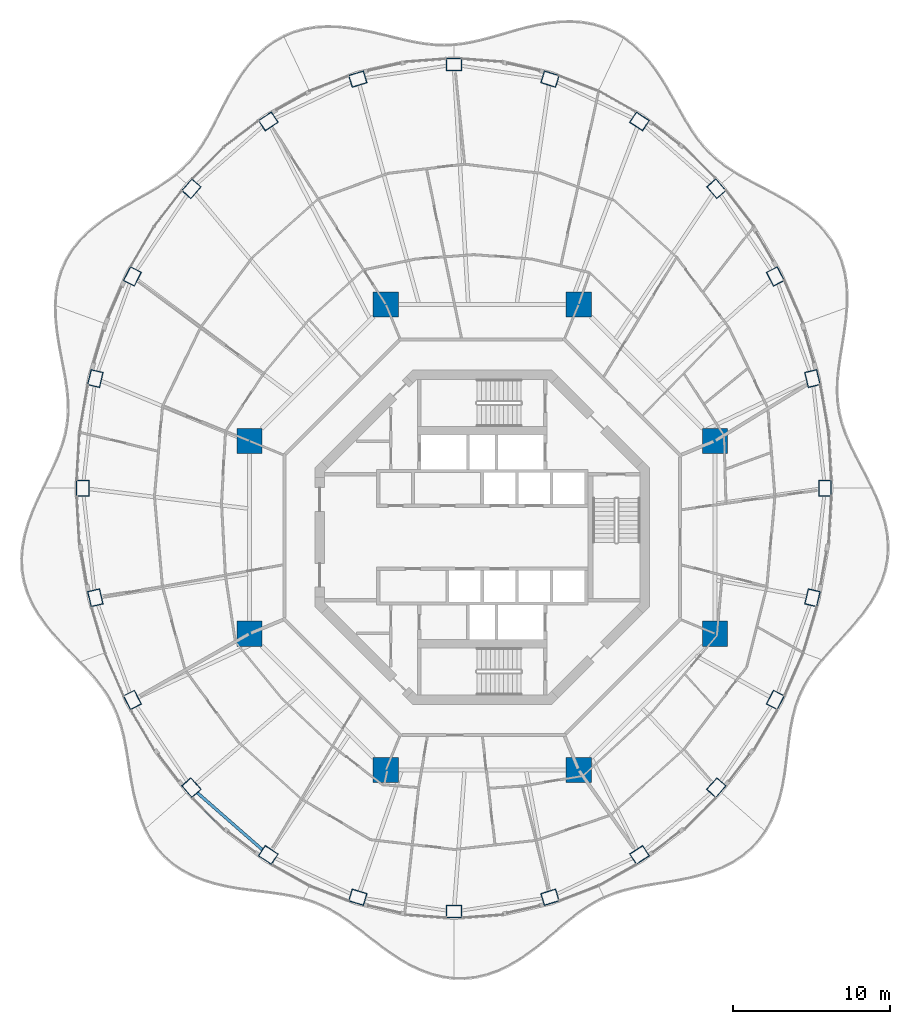
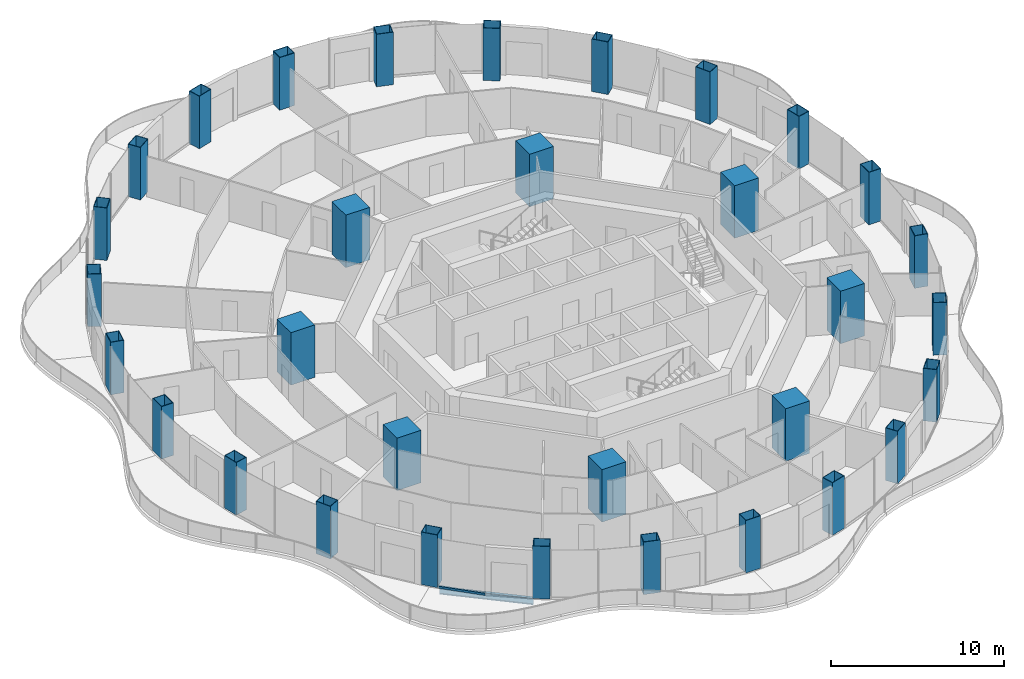
# One storey, part 1 of 18: 32 columns, 1 beam, 1 member, 1 element without a shape of its own.
"""IFC4 building model written with IfcOpenShell, lengths in metres."""

from ifc_helpers import new_model, si_unit, direction, frame, origin, origin_2d, place, context, subcontext, project, spatial, rectangle, hollow_rectangle, i_section, extrude, material, layer, layer_set, material_profile, profile_set, type_object, element, aggregate, save


model = new_model("IFC4")

# Units and contexts
model_context = context("Model", 3, precision=1e-05, world=origin(), true_north=direction((0.0, 1.0)))
body_context = subcontext(model_context, "Body", "Model", "MODEL_VIEW")
ifc_project = project(units=[si_unit("LENGTHUNIT", "METRE"), si_unit("AREAUNIT", "SQUARE_METRE"), si_unit("VOLUMEUNIT", "CUBIC_METRE"), si_unit("PLANEANGLEUNIT", "RADIAN"), si_unit("MASSUNIT", "GRAM", prefix="KILO")], contexts=[model_context])

# Site, building, storey
site_placement = place(None, origin())
site = spatial("IfcSite", under=ifc_project, at=site_placement, CompositionType="ELEMENT")
building_placement = place(site_placement, origin())
building = spatial("IfcBuilding", under=site, at=building_placement, Name="Nagisa Residences", CompositionType="ELEMENT")
storey_placement = place(building_placement, frame((0.0, 0.0, 245.5)))
storey = spatial("IfcBuildingStorey", under=building, at=storey_placement, Name="L62", CompositionType="ELEMENT", Elevation=245.5)

# Columns
ifc_material_1 = material(Name="Concrete C80", Category="concrete")
ifc_material_profile_1 = material_profile(ifc_material_1, rectangle(XDim=1.60009765625, YDim=1.60009765625, at=origin_2d()), Name="C80 1600x1600")
ifc_profile_set_1 = profile_set([ifc_material_profile_1], Name="Concrete C80")
column_type_1 = type_object("IfcColumnType", Name="Inner megacolumn C80 1600x1600", PredefinedType="COLUMN", material=ifc_profile_set_1)
for number, where, z_axis, x_axis, name in (
    (1, (14.781982421875, 6.123046875, 0.0), (0.0, 0.0, 1.0), (1.0, 0.0, 0.0), "col:L62:i1"),
    (2, (6.123046875, 14.781982421875, 0.0), (0.0, 0.0, 1.0), (1.0, 0.0, 0.0), "col:L62:i2"),
    (3, (-6.123046875, 14.781982421875, 0.0), (0.0, 0.0, 1.0), (1.0, 0.0, 0.0), "col:L62:i3"),
    (4, (-14.781982421875, 6.123046875, 0.0), (0.0, 0.0, 1.0), (1.0, 0.0, 0.0), "col:L62:i4"),
    (5, (-14.781982421875, -6.123046875, 0.0), (0.0, 0.0, 1.0), (1.0, 0.0, 0.0), "col:L62:i5"),
    (6, (-6.123046875, -14.781982421875, 0.0), (0.0, 0.0, 1.0), (1.0, 0.0, 0.0), "col:L62:i6"),
    (7, (6.123046875, -14.781982421875, 0.0), (0.0, 0.0, 1.0), (1.0, 0.0, 0.0), "col:L62:i7"),
    (8, (14.781982421875, -6.123046875, 0.0), (0.0, 0.0, 1.0), (1.0, 0.0, 0.0), "col:L62:i8"),
):
    element("IfcColumn", number, at=place(storey_placement, frame(where, z_axis=z_axis, x_axis=x_axis)), inside=storey, type_object=column_type_1, Name=name, PredefinedType="COLUMN", context=body_context, shape_type="SweptSolid", body=[
        extrude(rectangle(XDim=1.60009765625, YDim=1.60009765625, at=origin_2d()), origin(), (0.0, 0.0, 1.0), 3.699951171875),
    ])
ifc_material_2 = material(Name="Steel ASTM A572 Gr 50", Category="steel")
ifc_material_profile_2 = material_profile(ifc_material_2, hollow_rectangle(XDim=1.0, YDim=0.800048828125, WallThickness=0.031982421875, at=origin_2d()), Name="BX 1000x800x32")
ifc_profile_set_2 = profile_set([ifc_material_profile_2], Name="Steel ASTM A572 Gr 50")
column_type_2 = type_object("IfcColumnType", Name="Perimeter column BX 1000x800x32", PredefinedType="COLUMN", material=ifc_profile_set_2)
for number, where, z_axis, x_axis, name in (
    (9, (21.77001953125, 3.11767578125, 0.0), (0.0, 0.0, 1.0), (0.0, 1.0, 0.0), "col:L62:p00"),
    (10, (20.966796875, 10.077392578125, 0.0), (0.0, 0.0, 1.0), (-0.229202013103, 0.973378876486, 0.0), "col:L62:p01"),
    (11, (18.6123046875, 16.562744140625, 0.0), (0.0, 0.0, 1.0), (-0.452462697578, 0.891783329795, 0.0), "col:L62:p02"),
    (12, (14.866455078125, 22.1318359375, 0.0), (0.0, 0.0, 1.0), (-0.660114607735, 0.751164898445, 0.0), "col:L62:p03"),
    (13, (9.985107421875, 26.405029296875, 0.0), (0.0, 0.0, 1.0), (-0.835766105673, 0.54908561865, 0.0), "col:L62:p04"),
    (14, (4.30029296875, 29.091552734375, 0.0), (0.0, 0.0, 1.0), (-0.956524583408, 0.291651712384, 0.0), "col:L62:p05"),
    (15, (-1.800048828125, 30.0078125, 0.0), (0.0, 0.0, 1.0), (-1.0, 0.0, 0.0), "col:L62:p06"),
    (16, (-7.900390625, 29.091552734375, 0.0), (0.0, 0.0, 1.0), (-0.956524583408, -0.291651712384, 0.0), "col:L62:p07"),
    (17, (-13.5849609375, 26.405029296875, 0.0), (0.0, 0.0, 1.0), (-0.835766105673, -0.54908561865, 0.0), "col:L62:p08"),
    (18, (-18.466552734375, 22.1318359375, 0.0), (0.0, 0.0, 1.0), (-0.660114607735, -0.751164898445, 0.0), "col:L62:p09"),
    (19, (-22.212158203125, 16.562744140625, 0.0), (0.0, 0.0, 1.0), (-0.452462697578, -0.891783329795, 0.0), "col:L62:p10"),
    (20, (-24.56689453125, 10.077392578125, 0.0), (0.0, 0.0, 1.0), (-0.229202013103, -0.973378876486, 0.0), "col:L62:p11"),
    (21, (-25.3701171875, 3.11767578125, 0.0), (0.0, 0.0, 1.0), (0.0, -1.0, 0.0), "col:L62:p12"),
    (22, (-24.56689453125, -3.842041015625, 0.0), (0.0, 0.0, 1.0), (0.229202013103, -0.973378876486, 0.0), "col:L62:p13"),
    (23, (-22.212158203125, -10.327392578125, 0.0), (0.0, 0.0, 1.0), (0.452462697578, -0.891783329795, 0.0), "col:L62:p14"),
    (24, (-18.466552734375, -15.896484375, 0.0), (0.0, 0.0, 1.0), (0.660114607735, -0.751164898445, 0.0), "col:L62:p15"),
    (25, (-13.5849609375, -20.169677734375, 0.0), (0.0, 0.0, 1.0), (0.835766105673, -0.54908561865, 0.0), "col:L62:p16"),
    (26, (-7.900390625, -22.85595703125, 0.0), (0.0, 0.0, 1.0), (0.956524583408, -0.291651712384, 0.0), "col:L62:p17"),
    (27, (-1.800048828125, -23.772216796875, 0.0), (0.0, 0.0, 1.0), (1.0, 0.0, 0.0), "col:L62:p18"),
    (28, (4.30029296875, -22.85595703125, 0.0), (0.0, 0.0, 1.0), (0.956524583408, 0.291651712384, 0.0), "col:L62:p19"),
    (29, (9.985107421875, -20.169677734375, 0.0), (0.0, 0.0, 1.0), (0.835766105673, 0.54908561865, 0.0), "col:L62:p20"),
    (30, (14.866455078125, -15.896484375, 0.0), (0.0, 0.0, 1.0), (0.660114607735, 0.751164898445, 0.0), "col:L62:p21"),
    (31, (18.6123046875, -10.327392578125, 0.0), (0.0, 0.0, 1.0), (0.452462697578, 0.891783329795, 0.0), "col:L62:p22"),
    (32, (20.966796875, -3.842041015625, 0.0), (0.0, 0.0, 1.0), (0.229202013103, 0.973378876486, 0.0), "col:L62:p23"),
):
    element("IfcColumn", number, at=place(storey_placement, frame(where, z_axis=z_axis, x_axis=x_axis)), inside=storey, type_object=column_type_2, Name=name, PredefinedType="COLUMN", context=body_context, shape_type="SweptSolid", body=[
        extrude(hollow_rectangle(XDim=1.0, YDim=0.800048828125, WallThickness=0.031982421875, at=origin_2d()), origin(), (0.0, 0.0, 1.0), 3.699951171875),
    ])

# Curtain wall, member
ifc_material_3 = material(Name="Concrete-coloured aluminium curtain wall system", Category="concrete")
ifc_layer = layer(ifc_material_3, 0.159912109375)
ifc_layer_set = layer_set([ifc_layer], Name="CW1 CURTAIN WALL")
curtain_wall_type = type_object("IfcCurtainWallType", Name="CW1 CURTAIN WALL", PredefinedType="NOTDEFINED", material=ifc_layer_set)
curtain_wall_placement = place(storey_placement, origin())
curtain_wall = element("IfcCurtainWall", 33, at=curtain_wall_placement, inside=storey, type_object=curtain_wall_type, Name="cw:CW1:L62:30", PredefinedType="NOTDEFINED")
ifc_material_4 = material(Name="Concrete-coloured aluminium", Category="concrete")
ifc_material_profile_3 = material_profile(ifc_material_4, rectangle(XDim=0.1201171875, YDim=0.14990234375, at=origin_2d()), Name="CW1 TRANSOM 120x150")
ifc_profile_set_3 = profile_set([ifc_material_profile_3], Name="Concrete-coloured aluminium")
member_type = type_object("IfcMemberType", Name="CW1 TRANSOM 120x150", PredefinedType="USERDEFINED", material=ifc_profile_set_3)
member_placement = place(storey_placement, frame((-18.40966796875, -16.546630859375, 0.074951171875), z_axis=(0.707836044127, -0.706376765356, 0.0), x_axis=(0.706376765356, 0.707836044127, 0.0)))
member = element("IfcMember", 34, at=member_placement, type_object=member_type, Name="CW1 transom", ObjectType="TRANSOM", PredefinedType="USERDEFINED", context=body_context, shape_type="SweptSolid", body=[
    extrude(rectangle(XDim=0.1201171875, YDim=0.14990234375, at=origin_2d()), origin(), (0.0, 0.0, 1.0), 2.84423828125),
])
aggregate(curtain_wall, [member])

# Beam
ifc_material_5 = material(Name="Steel ASTM A572 Gr 50", Category="steel")
ifc_material_profile_4 = material_profile(ifc_material_5, i_section(OverallWidth=0.18994140625, OverallDepth=0.45703125, WebThickness=0.009033203125, FlangeThickness=0.014404296875, at=origin_2d()), Name="W460x74")
ifc_profile_set_4 = profile_set([ifc_material_profile_4], Name="Steel ASTM A572 Gr 50")
beam_type = type_object("IfcBeamType", Name="Perimeter ring beam W460x74", PredefinedType="BEAM", material=ifc_profile_set_4)
beam_placement = place(storey_placement, frame((-18.10205078125, -16.21533203125, -0.488525390625), z_axis=(0.75242320672, -0.65867998147, 0.0), x_axis=(0.65867998147, 0.75242320672, 0.0)))
element("IfcBeam", 35, at=beam_placement, inside=storey, type_object=beam_type, Name="beam:L62:pb16", PredefinedType="BEAM", context=body_context, shape_type="SweptSolid", body=[
    extrude(i_section(OverallWidth=0.18994140625, OverallDepth=0.45703125, WebThickness=0.009033203125, FlangeThickness=0.014404296875, at=origin_2d()), origin(), (0.0, 0.0, 1.0), 5.5185546875),
])

save(model, "model.ifc")
